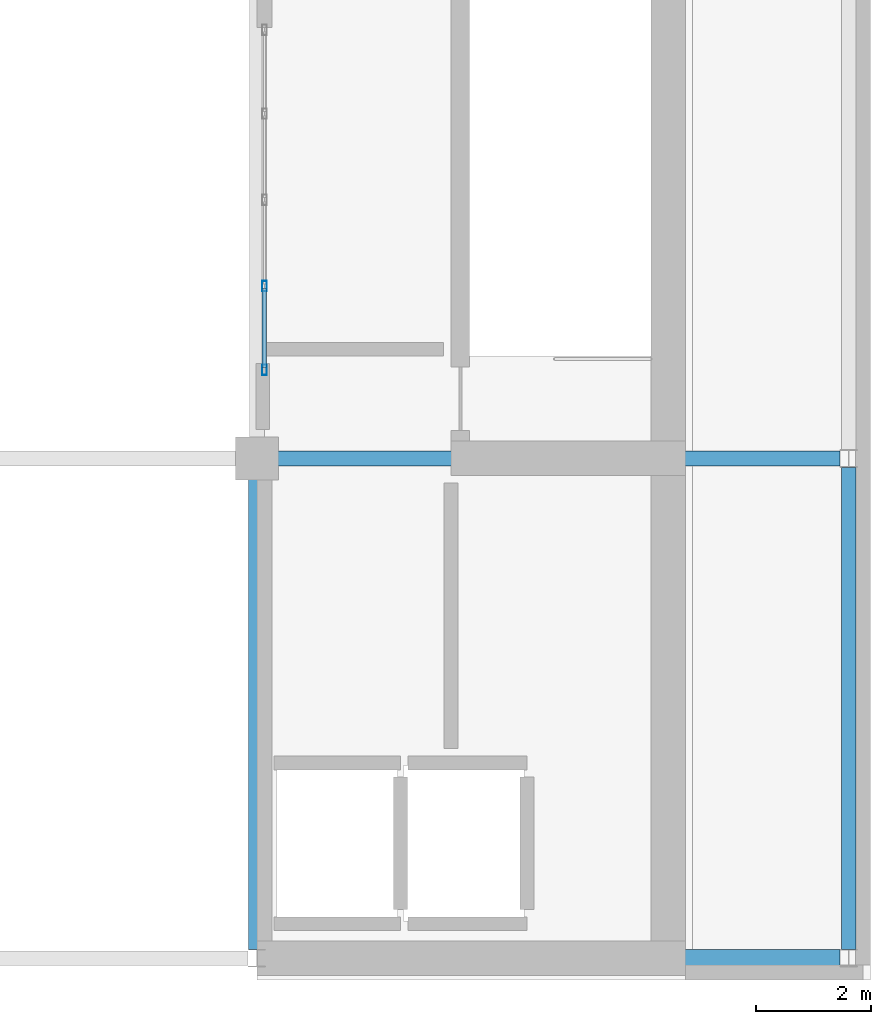
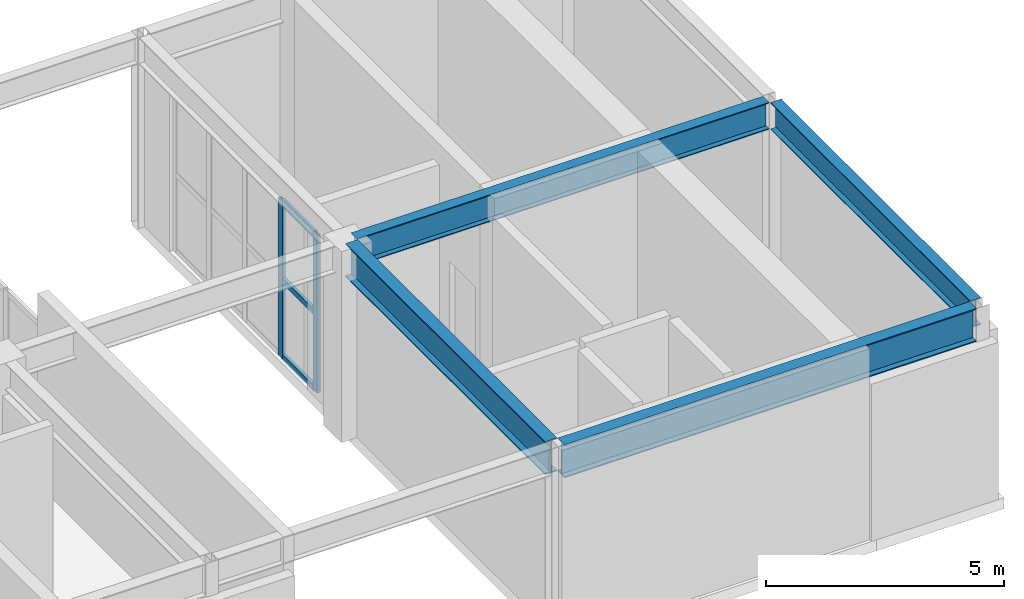
# One storey, part 3 of 9: 5 members, 4 beams, 1 element without a shape of its own.
"""IFC4 building model written with IfcOpenShell, lengths in metres."""

from ifc_helpers import new_model, si_unit, direction, frame, origin, origin_2d, place, context, subcontext, project, spatial, hollow_rectangle, i_section, extrude, material, layer, layer_set, material_profile, profile_set, type_object, element, aggregate, save


model = new_model("IFC4")

# Units and contexts
model_context = context("Model", 3, precision=1e-05, world=origin(), true_north=direction((0.0, 1.0)))
body_context = subcontext(model_context, "Body", "Model", "MODEL_VIEW")
ifc_project = project(units=[si_unit("LENGTHUNIT", "METRE"), si_unit("AREAUNIT", "SQUARE_METRE"), si_unit("VOLUMEUNIT", "CUBIC_METRE"), si_unit("PLANEANGLEUNIT", "RADIAN"), si_unit("MASSUNIT", "GRAM", prefix="KILO")], contexts=[model_context])

# Site, building, storey
site_placement = place(None, origin())
site = spatial("IfcSite", under=ifc_project, at=site_placement, CompositionType="ELEMENT")
building_placement = place(site_placement, origin())
building = spatial("IfcBuilding", under=site, at=building_placement, Name="Solanera Arch Residences", CompositionType="ELEMENT")
storey_placement = place(building_placement, frame((0.0, 0.0, 297.679931640625)))
storey = spatial("IfcBuildingStorey", under=building, at=storey_placement, Name="L84", CompositionType="ELEMENT", Elevation=297.679931640625)

# Curtain wall, members
ifc_material_1 = material(Name="Anodised Aluminium Alloy 6063-T6", Category="aluminium")
ifc_layer = layer(ifc_material_1, 0.179931640625)
ifc_layer_set = layer_set([ifc_layer], Name="Anodised Aluminium Alloy 6063-T6")
curtain_wall_type = type_object("IfcCurtainWallType", Name="CW-6 Split-Top Crown Lantern Curtain Wall", PredefinedType="USERDEFINED", material=ifc_layer_set)
curtain_wall_placement = place(storey_placement, origin())
curtain_wall = element("IfcCurtainWall", 1, at=curtain_wall_placement, inside=storey, type_object=curtain_wall_type, Name="L84 E Crown Cleft Lantern Curtain Wall", ObjectType="CURTAIN_WALL", PredefinedType="USERDEFINED")
ifc_material_2 = material(Name="Anodised Aluminium Alloy 6063-T6", Category="aluminium")
ifc_material_profile_1 = material_profile(ifc_material_2, hollow_rectangle(XDim=0.080078125, YDim=0.179931640625, WallThickness=0.00390625, at=origin_2d()))
ifc_profile_set_1 = profile_set([ifc_material_profile_1], Name="Anodised Aluminium Alloy 6063-T6")
member_type_1 = type_object("IfcMemberType", Name="Curtain Wall Mullion ALU-MUL-80X180", PredefinedType="MULLION", material=ifc_profile_set_1)
member_1_placement = place(storey_placement, frame((29.330078125, 32.239990234375, 0.0), z_axis=(0.0, 0.0, 1.0), x_axis=(-1.0, 0.0, 0.0)))
member_1 = element("IfcMember", 2, at=member_1_placement, type_object=member_type_1, Name="CW-6 mullion 1", PredefinedType="MULLION", context=body_context, shape_type="SweptSolid", body=[
    extrude(hollow_rectangle(XDim=0.080078125, YDim=0.179931640625, WallThickness=0.00390625, at=origin_2d()), origin(), (0.0, 0.0, 1.0), 4.0400390625),
])
member_2_placement = place(storey_placement, frame((29.330078125, 33.699951171875, 0.0), z_axis=(0.0, 0.0, 1.0), x_axis=(-1.0, 0.0, 0.0)))
member_2 = element("IfcMember", 3, at=member_2_placement, type_object=member_type_1, Name="CW-6 mullion 2", PredefinedType="MULLION", context=body_context, shape_type="SweptSolid", body=[
    extrude(hollow_rectangle(XDim=0.080078125, YDim=0.179931640625, WallThickness=0.00390625, at=origin_2d()), origin(), (0.0, 0.0, 1.0), 4.0400390625),
])
ifc_material_3 = material(Name="Anodised Aluminium Alloy 6063-T6", Category="aluminium")
ifc_material_profile_2 = material_profile(ifc_material_3, hollow_rectangle(XDim=0.080078125, YDim=0.139892578125, WallThickness=0.00390625, at=origin_2d()))
ifc_profile_set_2 = profile_set([ifc_material_profile_2], Name="Anodised Aluminium Alloy 6063-T6")
member_type_2 = type_object("IfcMemberType", Name="Curtain Wall Transom ALU-TRN-80X140", PredefinedType="USERDEFINED", material=ifc_profile_set_2)
member_3_placement = place(storey_placement, frame((29.330078125, 32.280029296875, 0.0400390625), z_axis=(0.0, 1.0, 0.0), x_axis=(-1.0, 0.0, 0.0)))
member_3 = element("IfcMember", 4, at=member_3_placement, type_object=member_type_2, Name="CW-6 transom 1.1", ObjectType="TRANSOM", PredefinedType="USERDEFINED", context=body_context, shape_type="SweptSolid", body=[
    extrude(hollow_rectangle(XDim=0.080078125, YDim=0.139892578125, WallThickness=0.00390625, at=origin_2d()), origin(), (0.0, 0.0, 1.0), 1.3798828125),
])
member_4_placement = place(storey_placement, frame((29.330078125, 32.280029296875, 2.0), z_axis=(0.0, 1.0, 0.0), x_axis=(-1.0, 0.0, 0.0)))
member_4 = element("IfcMember", 5, at=member_4_placement, type_object=member_type_2, Name="CW-6 transom 1.2", ObjectType="TRANSOM", PredefinedType="USERDEFINED", context=body_context, shape_type="SweptSolid", body=[
    extrude(hollow_rectangle(XDim=0.080078125, YDim=0.139892578125, WallThickness=0.00390625, at=origin_2d()), origin(), (0.0, 0.0, 1.0), 1.3798828125),
])
member_5_placement = place(storey_placement, frame((29.330078125, 32.280029296875, 4.0), z_axis=(0.0, 1.0, 0.0), x_axis=(-1.0, 0.0, 0.0)))
member_5 = element("IfcMember", 6, at=member_5_placement, type_object=member_type_2, Name="CW-6 transom 1.3", ObjectType="TRANSOM", PredefinedType="USERDEFINED", context=body_context, shape_type="SweptSolid", body=[
    extrude(hollow_rectangle(XDim=0.080078125, YDim=0.139892578125, WallThickness=0.00390625, at=origin_2d()), origin(), (0.0, 0.0, 1.0), 1.3798828125),
])
aggregate(curtain_wall, [member_1, member_2, member_3, member_4, member_5])

# Beams
ifc_material_4 = material(Name="Steel S355 (ASTM A992 / A572 Grade 50)", Category="steel")
ifc_material_profile_3 = material_profile(ifc_material_4, i_section(OverallWidth=0.256103515625, OverallDepth=0.693115234375, WebThickness=0.014404296875, FlangeThickness=0.023681640625, at=origin_2d()))
ifc_profile_set_3 = profile_set([ifc_material_profile_3], Name="Steel S355 (ASTM A992 / A572 Grade 50)")
beam_type_1 = type_object("IfcBeamType", Name="Primary Beam W690X170", PredefinedType="BEAM", material=ifc_profile_set_3)
beam_1_placement = place(storey_placement, frame((29.35205078125, 30.699951171875, 4.552978515625), z_axis=(1.0, 0.0, 0.0), x_axis=(0.0, 1.0, 0.0)))
element("IfcBeam", 7, at=beam_1_placement, inside=storey, type_object=beam_type_1, Name="BM-L84-CR-EM", PredefinedType="BEAM", context=body_context, shape_type="SweptSolid", body=[
    extrude(i_section(OverallWidth=0.256103515625, OverallDepth=0.693115234375, WebThickness=0.014404296875, FlangeThickness=0.023681640625, at=origin_2d()), origin(), (0.0, 0.0, 1.0), 9.995849609375),
])
beam_2_placement = place(storey_placement, frame((39.5, 22.154052734375, 4.552978515625), z_axis=(0.0, 1.0, 0.0), x_axis=(-1.0, 0.0, 0.0)))
element("IfcBeam", 8, at=beam_2_placement, inside=storey, type_object=beam_type_1, Name="BM-L84-CR-E3", PredefinedType="BEAM", context=body_context, shape_type="SweptSolid", body=[
    extrude(i_section(OverallWidth=0.256103515625, OverallDepth=0.693115234375, WebThickness=0.014404296875, FlangeThickness=0.023681640625, at=origin_2d()), origin(), (0.0, 0.0, 1.0), 8.391845703125),
])
ifc_material_5 = material(Name="Steel S355 (ASTM A992 / A572 Grade 50)", Category="steel")
ifc_material_profile_4 = material_profile(ifc_material_5, i_section(OverallWidth=0.2939453125, OverallDepth=0.85107421875, WebThickness=0.01611328125, FlangeThickness=0.02685546875, at=origin_2d()))
ifc_profile_set_4 = profile_set([ifc_material_profile_4], Name="Steel S355 (ASTM A992 / A572 Grade 50)")
beam_type_2 = type_object("IfcBeamType", Name="Primary Beam W840X226", PredefinedType="BEAM", material=ifc_profile_set_4)
beam_3_placement = place(storey_placement, frame((29.35205078125, 22.0, 4.47412109375), z_axis=(1.0, 0.0, 0.0), x_axis=(0.0, 1.0, 0.0)))
element("IfcBeam", 9, at=beam_3_placement, inside=storey, type_object=beam_type_2, Name="BM-L84-CR-ES", PredefinedType="BEAM", context=body_context, shape_type="SweptSolid", body=[
    extrude(i_section(OverallWidth=0.2939453125, OverallDepth=0.85107421875, WebThickness=0.01611328125, FlangeThickness=0.02685546875, at=origin_2d()), origin(), (0.0, 0.0, 1.0), 9.995849609375),
])
beam_4_placement = place(storey_placement, frame((29.199951171875, 22.154052734375, 4.47412109375), z_axis=(0.0, 1.0, 0.0), x_axis=(-1.0, 0.0, 0.0)))
element("IfcBeam", 10, at=beam_4_placement, inside=storey, type_object=beam_type_2, Name="BM-L84-CR-E1", PredefinedType="BEAM", context=body_context, shape_type="SweptSolid", body=[
    extrude(i_section(OverallWidth=0.2939453125, OverallDepth=0.85107421875, WebThickness=0.01611328125, FlangeThickness=0.02685546875, at=origin_2d()), origin(), (0.0, 0.0, 1.0), 8.391845703125),
])

save(model, "model.ifc")
